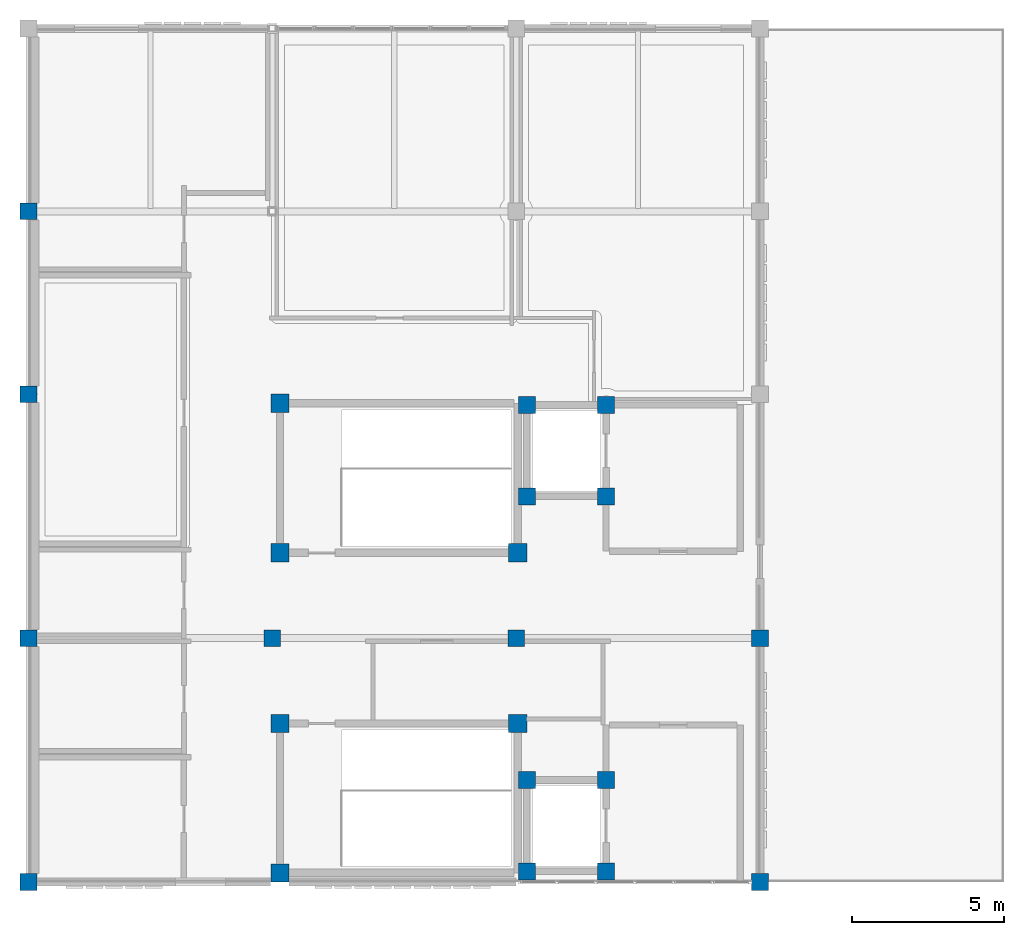
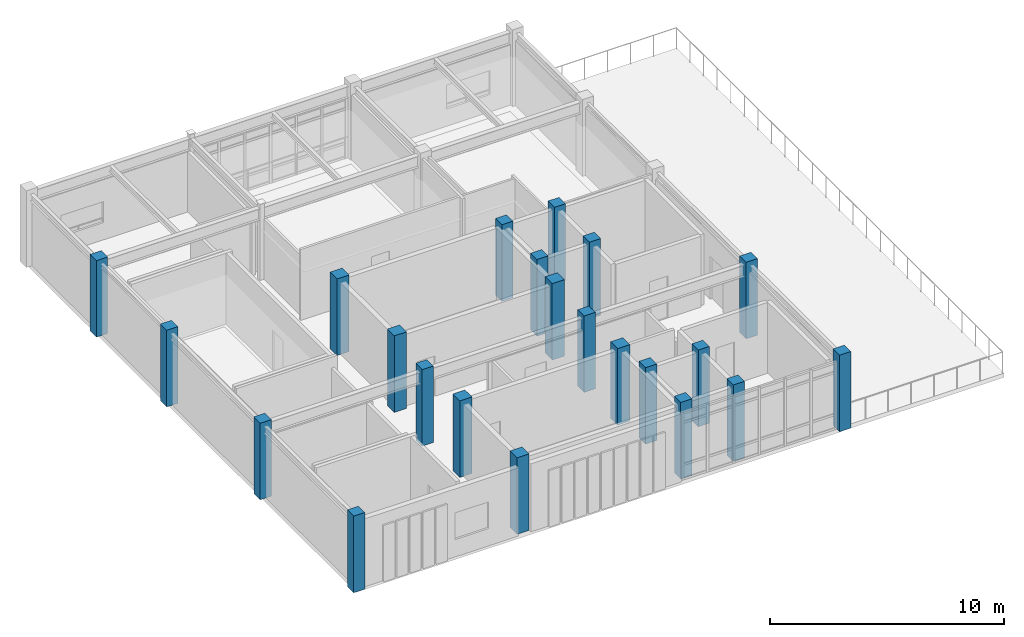
# One storey, part 1 of 11: 22 columns.
"""IFC4 building model written with IfcOpenShell, lengths in metres."""

from ifc_helpers import new_model, si_unit, direction, frame, origin, origin_2d, place, context, subcontext, project, spatial, rectangle, extrude, material, material_profile, profile_set, type_object, element, save


model = new_model("IFC4")

# Units and contexts
model_context = context("Model", 3, precision=1e-05, world=origin(), true_north=direction((0.0, 1.0)))
body_context = subcontext(model_context, "Body", "Model", "MODEL_VIEW")
ifc_project = project(units=[si_unit("LENGTHUNIT", "METRE"), si_unit("AREAUNIT", "SQUARE_METRE"), si_unit("VOLUMEUNIT", "CUBIC_METRE"), si_unit("PLANEANGLEUNIT", "RADIAN"), si_unit("MASSUNIT", "GRAM", prefix="KILO")], contexts=[model_context])

# Site, building, storey
site_placement = place(None, origin())
site = spatial("IfcSite", under=ifc_project, at=site_placement, CompositionType="ELEMENT")
building_placement = place(site_placement, origin())
building = spatial("IfcBuilding", under=site, at=building_placement, Name="Celadon Cloister-Ring School", CompositionType="ELEMENT")
storey_placement = place(building_placement, frame((0.0, 0.0, 20.5)))
storey = spatial("IfcBuildingStorey", under=building, at=storey_placement, Name="L05", CompositionType="ELEMENT", Elevation=20.5)

# Columns
ifc_material_1 = material(Name="Concrete C40/50", Category="concrete")
ifc_material_profile_1 = material_profile(ifc_material_1, rectangle(XDim=0.60009765625, YDim=0.60009765625, at=origin_2d()), Name="RC600X600")
ifc_profile_set_1 = profile_set([ifc_material_profile_1], Name="Concrete C40/50")
column_type_1 = type_object("IfcColumnType", Name="CT-04", PredefinedType="COLUMN", material=ifc_profile_set_1)
for number, where, z_axis, x_axis, name in (
    (1, (8.25, 40.300048828125, 0.0), (0.0, 0.0, 1.0), (1.0, 0.0, 0.0), "Column 0128"),
    (2, (16.050048828125, 45.199951171875, 0.0), (0.0, 0.0, 1.0), (1.0, 0.0, 0.0), "Column 0134"),
    (3, (8.25, 45.199951171875, 0.0), (0.0, 0.0, 1.0), (1.0, 0.0, 0.0), "Column 0140"),
    (4, (8.25, 50.800048828125, 0.0), (0.0, 0.0, 1.0), (1.0, 0.0, 0.0), "Column 0146"),
    (5, (16.050048828125, 50.800048828125, 0.0), (0.0, 0.0, 1.0), (1.0, 0.0, 0.0), "Column 0152"),
    (6, (8.25, 55.699951171875, 0.0), (0.0, 0.0, 1.0), (1.0, 0.0, 0.0), "Column 0158"),
):
    element("IfcColumn", number, at=place(storey_placement, frame(where, z_axis=z_axis, x_axis=x_axis)), inside=storey, type_object=column_type_1, Name=name, PredefinedType="COLUMN", context=body_context, shape_type="SweptSolid", body=[
        extrude(rectangle(XDim=0.60009765625, YDim=0.60009765625, at=origin_2d()), origin(), (0.0, 0.0, 1.0), 4.0),
    ])
ifc_material_2 = material(Name="Concrete C40/50", Category="concrete")
ifc_material_profile_2 = material_profile(ifc_material_2, rectangle(XDim=0.550048828125, YDim=0.550048828125, at=origin_2d()), Name="RC550X550")
ifc_profile_set_2 = profile_set([ifc_material_profile_2], Name="Concrete C40/50")
column_type_2 = type_object("IfcColumnType", Name="CT-05", PredefinedType="COLUMN", material=ifc_profile_set_2)
for number, where, z_axis, x_axis, name in (
    (7, (16.35009765625, 40.35009765625, 0.0), (0.0, 0.0, 1.0), (1.0, 0.0, 0.0), "Column 0217"),
    (8, (18.949951171875, 40.35009765625, 0.0), (0.0, 0.0, 1.0), (1.0, 0.0, 0.0), "Column 0223"),
    (9, (18.949951171875, 43.35009765625, 0.0), (0.0, 0.0, 1.0), (1.0, 0.0, 0.0), "Column 0229"),
    (10, (16.35009765625, 43.35009765625, 0.0), (0.0, 0.0, 1.0), (1.0, 0.0, 0.0), "Column 0235"),
    (11, (16.35009765625, 52.64990234375, 0.0), (0.0, 0.0, 1.0), (1.0, 0.0, 0.0), "Column 0241"),
    (12, (18.949951171875, 52.64990234375, 0.0), (0.0, 0.0, 1.0), (1.0, 0.0, 0.0), "Column 0247"),
    (13, (18.949951171875, 55.64990234375, 0.0), (0.0, 0.0, 1.0), (1.0, 0.0, 0.0), "Column 0253"),
    (14, (16.35009765625, 55.64990234375, 0.0), (0.0, 0.0, 1.0), (1.0, 0.0, 0.0), "Column 0259"),
    (15, (16.0, 48.0, 0.0), (0.0, 0.0, 1.0), (1.0, 0.0, 0.0), "Column 1097"),
    (16, (24.0, 48.0, 0.0), (0.0, 0.0, 1.0), (1.0, 0.0, 0.0), "Column 1125"),
    (17, (8.0, 48.0, 0.0), (0.0, 0.0, 1.0), (1.0, 0.0, 0.0), "Column 1182"),
):
    element("IfcColumn", number, at=place(storey_placement, frame(where, z_axis=z_axis, x_axis=x_axis)), inside=storey, type_object=column_type_2, Name=name, PredefinedType="COLUMN", context=body_context, shape_type="SweptSolid", body=[
        extrude(rectangle(XDim=0.550048828125, YDim=0.550048828125, at=origin_2d()), origin(), (0.0, 0.0, 1.0), 4.0),
    ])
ifc_material_3 = material(Name="Concrete C40/50", Category="concrete")
ifc_material_profile_3 = material_profile(ifc_material_3, rectangle(XDim=0.550048828125, YDim=0.550048828125, at=origin_2d()), Name="RC550X550")
ifc_profile_set_3 = profile_set([ifc_material_profile_3], Name="Concrete C40/50")
column_type_3 = type_object("IfcColumnType", Name="CT-24", PredefinedType="COLUMN", material=ifc_profile_set_3)
for number, where, z_axis, x_axis, name in (
    (18, (0.0, 40.0, 0.0), (0.0, 0.0, 1.0), (1.0, 0.0, 0.0), "Column 1063"),
    (19, (0.0, 48.0, 0.0), (0.0, 0.0, 1.0), (1.0, 0.0, 0.0), "Column 1069"),
    (20, (0.0, 56.0, 0.0), (0.0, 0.0, 1.0), (1.0, 0.0, 0.0), "Column 1075"),
    (21, (0.0, 62.0, 0.0), (0.0, 0.0, 1.0), (1.0, 0.0, 0.0), "Column 1081"),
    (22, (24.0, 40.0, 0.0), (0.0, 0.0, 1.0), (1.0, 0.0, 0.0), "Column 1119"),
):
    element("IfcColumn", number, at=place(storey_placement, frame(where, z_axis=z_axis, x_axis=x_axis)), inside=storey, type_object=column_type_3, Name=name, PredefinedType="COLUMN", context=body_context, shape_type="SweptSolid", body=[
        extrude(rectangle(XDim=0.550048828125, YDim=0.550048828125, at=origin_2d()), origin(), (0.0, 0.0, 1.0), 4.0),
    ])

save(model, "model.ifc")
